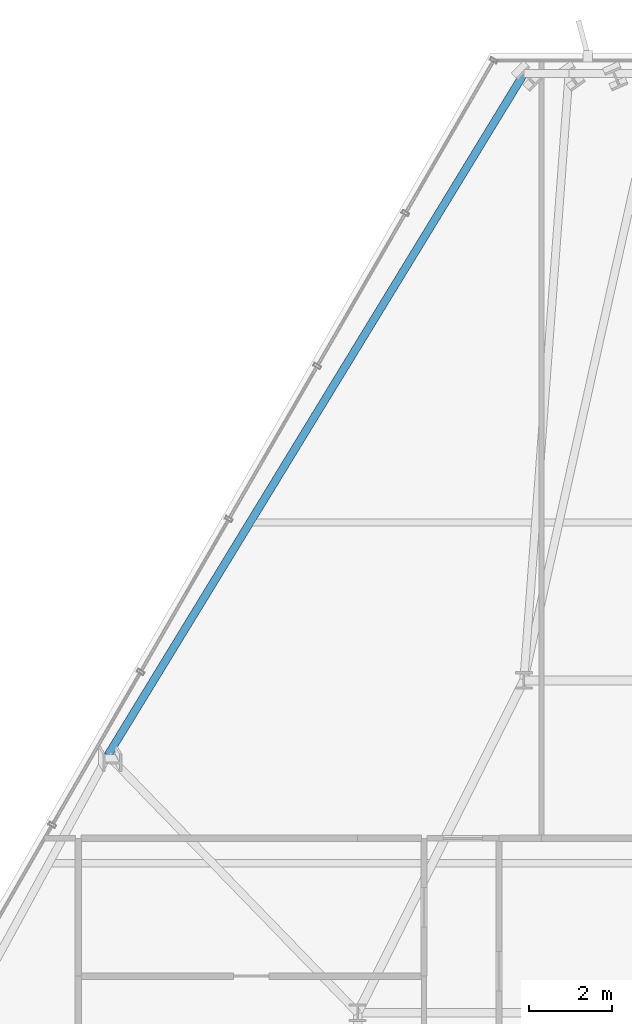
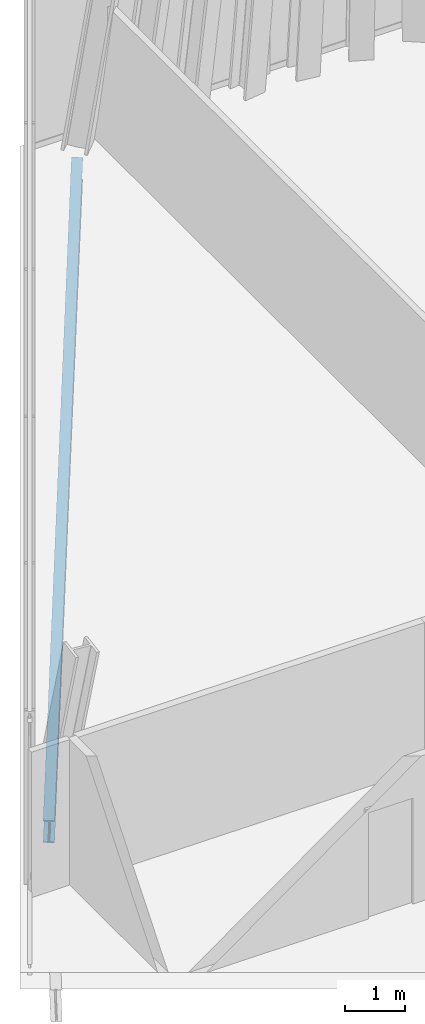
# One storey, part 20 of 34: 1 beam.
"""IFC4 building model written with IfcOpenShell, lengths in metres."""

import ifcopenshell
import ifcopenshell.guid

model = None  # the IFC model being written
_history = None  # IfcOwnerHistory: only IFC2X3 demands one
_inside = {}  # id of a spatial element -> (the spatial element, [elements in it])
_under = {}  # id of a project, library or spatial element -> (it, [spatial elements below it])
_declared = {}  # id of a project -> (the project, [libraries it declares])
_typed = {}  # id of a type object -> (the type object, [elements of that type])
_made_of = {}  # id of a material, layer set ... -> (it, [elements and type objects made of it])


def new_model(schema):
    """Start an empty IFC model of exactly this schema.

    Asked for "IFC4X3", IfcOpenShell would pick the latest addendum, in which some entities
    have other attributes; the version numbers below select the first issue.
    IFC2X3 requires an IfcOwnerHistory on every rooted entity: one is made here for all.
    """
    global model, _history
    if schema == "IFC4X3":
        model = ifcopenshell.file(schema_version=(4, 3, 0, 0))
    else:
        model = ifcopenshell.file(schema=schema)
    _inside.clear()
    _under.clear()
    _declared.clear()
    _typed.clear()
    _made_of.clear()
    _history = None
    if model.schema == "IFC2X3":
        org = make("IfcOrganization", Name="unknown")
        user = make(
            "IfcPersonAndOrganization",
            ThePerson=make("IfcPerson", FamilyName="unknown"),
            TheOrganization=org,
        )
        app = make(
            "IfcApplication",
            ApplicationDeveloper=org,
            Version="unknown",
            ApplicationFullName="unknown",
            ApplicationIdentifier="unknown",
        )
        _history = make(
            "IfcOwnerHistory",
            OwningUser=user,
            OwningApplication=app,
            ChangeAction="ADDED",
            CreationDate=0,
        )
    return model


def make(cls, **values):
    """One entity of the class cls with the attributes given. An attribute that is None is left unset."""
    return model.create_entity(
        cls, **{name: value for name, value in values.items() if value is not None}
    )


def rooted(cls, **values):
    """An entity with a GlobalId (a new one), such as an element, a storey or a relation."""
    return make(cls, GlobalId=ifcopenshell.guid.new(), OwnerHistory=_history, **values)


def si_unit(unit_type, name, prefix=None):
    """IfcSIUnit, for example si_unit("LENGTHUNIT", "METRE", prefix="MILLI")."""
    return make("IfcSIUnit", UnitType=unit_type, Prefix=prefix, Name=name)


def assignment(units):
    """IfcUnitAssignment: the units of a project."""
    return None if units is None else make("IfcUnitAssignment", Units=units)


def point(xyz):
    """IfcCartesianPoint."""
    return None if xyz is None else make("IfcCartesianPoint", Coordinates=xyz)


def direction(xyz):
    """IfcDirection."""
    return None if xyz is None else make("IfcDirection", DirectionRatios=xyz)


def frame(location, z_axis=None, x_axis=None):
    """IfcAxis2Placement3D, a coordinate frame: its origin and axes. An axis left out is left unset."""
    return make(
        "IfcAxis2Placement3D",
        Location=point(location),
        Axis=direction(z_axis),
        RefDirection=direction(x_axis),
    )


def frame_2d(location, x_axis=None):
    """IfcAxis2Placement2D, a coordinate frame in the plane: its origin and x axis."""
    return make(
        "IfcAxis2Placement2D", Location=point(location), RefDirection=direction(x_axis)
    )


def origin():
    """The frame at (0, 0, 0) with its axes left unset."""
    return frame((0.0, 0.0, 0.0))


def origin_2d():
    """The frame at (0, 0) in the plane with its x axis left unset."""
    return frame_2d((0.0, 0.0))


def place(relative_to, where):
    """IfcLocalPlacement: puts the frame where relative to a parent placement (None: the world)."""
    return make(
        "IfcLocalPlacement", PlacementRelTo=relative_to, RelativePlacement=where
    )


def context(
    kind, dimensions, precision=None, world=None, true_north=None, identifier=None
):
    """IfcGeometricRepresentationContext, for example the 3D "Model" context."""
    return make(
        "IfcGeometricRepresentationContext",
        ContextIdentifier=identifier,
        ContextType=kind,
        CoordinateSpaceDimension=dimensions,
        Precision=precision,
        WorldCoordinateSystem=world,
        TrueNorth=true_north,
    )


def subcontext(parent, identifier, kind, view, scale=None):
    """IfcGeometricRepresentationSubContext, for example "Body" below "Model"."""
    return make(
        "IfcGeometricRepresentationSubContext",
        ContextIdentifier=identifier,
        ContextType=kind,
        ParentContext=parent,
        TargetScale=scale,
        TargetView=view,
    )


def project(units=None, contexts=None):
    """IfcProject with its units and contexts."""
    return rooted(
        "IfcProject",
        Name="project",
        RepresentationContexts=contexts,
        UnitsInContext=assignment(units),
    )


def spatial(cls, under=None, at=None, **own):
    """A site, building, storey or space (cls), placed at a placement, below another one or the project."""
    s = rooted(cls, ObjectPlacement=at, **own)
    if under is not None:
        _under.setdefault(under.id(), (under, []))[1].append(s)
    return s


def profile(cls, at=None, kind="AREA", **sizes):
    """A parametric profile (cls). Its sizes go by their IFC names, for example OverallWidth=200.0."""
    return make(cls, ProfileType=kind, Position=at, **sizes)


def i_section(**sizes):
    """IfcIShapeProfileDef."""
    return profile("IfcIShapeProfileDef", **sizes)


def extrude(swept, where, along, depth):
    """IfcExtrudedAreaSolid: the profile swept, set in the frame where, extruded along a direction by depth."""
    return make(
        "IfcExtrudedAreaSolid",
        SweptArea=swept,
        Position=where,
        ExtrudedDirection=direction(along),
        Depth=depth,
    )


def shape(context_of_items, identifier, shape_type, items):
    """IfcShapeRepresentation: the items that make up one representation, for example the "Body"."""
    return make(
        "IfcShapeRepresentation",
        ContextOfItems=context_of_items,
        RepresentationIdentifier=identifier,
        RepresentationType=shape_type,
        Items=items,
    )


def material(Name=None, Category=None):
    """IfcMaterial."""
    return make("IfcMaterial", Name=Name, Category=Category)


def material_profile(
    of_material, cross_section, Name=None, Category=None, Priority=None
):
    """IfcMaterialProfile: a cross section and its material."""
    return make(
        "IfcMaterialProfile",
        Name=Name,
        Material=of_material,
        Profile=cross_section,
        Priority=Priority,
        Category=Category,
    )


def profile_set(profiles, Name=None, composite=None):
    """IfcMaterialProfileSet."""
    return make(
        "IfcMaterialProfileSet",
        Name=Name,
        MaterialProfiles=profiles,
        CompositeProfile=composite,
    )


def made_of(thing, what):
    """Note that an element or type object is made of a material, layer set ...; save() writes the relation."""
    if what is not None:
        _made_of.setdefault(what.id(), (what, []))[1].append(thing)
    return thing


def type_object(cls, material=None, **own):
    """A type object (cls), such as IfcWallType, which elements share."""
    return made_of(rooted(cls, **own), material)


def element(
    cls,
    number,
    at=None,
    inside=None,
    cuts=None,
    type_object=None,
    material=None,
    context=None,
    identifier="Body",
    shape_type=None,
    held_by="IfcProductDefinitionShape",
    body=None,
    shapes=None,
    **own,
):
    """One element of the class cls, such as IfcWall. Its Tag is "e" and its number.

    at: its placement. inside: the storey or other place that contains it. cuts: it is an
    opening in that element (IfcRelVoidsElement). A single representation is given by context,
    identifier, shape_type and body (its items); several are given by shapes. held_by: the class
    of the entity that holds the representations. save() writes the other relations.
    """
    e = rooted(cls, Tag="e%d" % number, ObjectPlacement=at, **own)
    if body is not None:
        shapes = [shape(context, identifier, shape_type, body)]
    if shapes is not None:
        e.Representation = make(held_by, Representations=shapes)
    if inside is not None:
        _inside.setdefault(inside.id(), (inside, []))[1].append(e)
    if cuts is not None:
        rooted(
            "IfcRelVoidsElement", RelatingBuildingElement=cuts, RelatedOpeningElement=e
        )
    if type_object is not None:
        _typed.setdefault(type_object.id(), (type_object, []))[1].append(e)
    return made_of(e, material)


def aggregate(whole, parts):
    """IfcRelAggregates: a whole, such as a stair, and the parts it consists of."""
    return rooted("IfcRelAggregates", RelatingObject=whole, RelatedObjects=parts)


def save(model, path):
    """Write the relations noted so far, then the file.

    IfcRelAggregates (storeys below a building ...), IfcRelContainedInSpatialStructure (elements
    in a storey), IfcRelDefinesByType, IfcRelAssociatesMaterial and IfcRelDeclares: one each for
    every whole, place, type object, material and project.
    """
    for whole, parts in _under.values():
        aggregate(whole, parts)
    for where, things in _inside.values():
        rooted(
            "IfcRelContainedInSpatialStructure",
            RelatedElements=things,
            RelatingStructure=where,
        )
    for kind, things in _typed.values():
        rooted("IfcRelDefinesByType", RelatedObjects=things, RelatingType=kind)
    for what, things in _made_of.values():
        rooted("IfcRelAssociatesMaterial", RelatedObjects=things, RelatingMaterial=what)
    for by, libraries in _declared.values():
        rooted("IfcRelDeclares", RelatingContext=by, RelatedDefinitions=libraries)
    model.write(path)


model = new_model("IFC4")

# Units and contexts
model_context = context("Model", 3, precision=1e-05, world=origin(), true_north=direction((0.0, 1.0)))
body_context = subcontext(model_context, "Body", "Model", "MODEL_VIEW")
ifc_project = project(units=[si_unit("LENGTHUNIT", "METRE"), si_unit("AREAUNIT", "SQUARE_METRE"), si_unit("VOLUMEUNIT", "CUBIC_METRE"), si_unit("PLANEANGLEUNIT", "RADIAN"), si_unit("MASSUNIT", "GRAM", prefix="KILO")], contexts=[model_context])

# Site, building, storey
site_placement = place(None, origin())
site = spatial("IfcSite", under=ifc_project, at=site_placement, CompositionType="ELEMENT")
building_placement = place(site_placement, origin())
building = spatial("IfcBuilding", under=site, at=building_placement, Name="Ndaravel Arena Tower", CompositionType="ELEMENT")
storey_placement = place(building_placement, frame((0.0, 0.0, 199.199951171875)))
storey = spatial("IfcBuildingStorey", under=building, at=storey_placement, Name="L48", CompositionType="ELEMENT", Elevation=199.199951171875)

# Beam
ifc_material = material(Name="Steel S355", Category="steel")
ifc_material_profile = material_profile(ifc_material, i_section(OverallWidth=0.18994140625, OverallDepth=0.449951171875, WebThickness=0.009521484375, FlangeThickness=0.0146484375, FilletRadius=0.02099609375, at=origin_2d()), Name="IPE 450")
ifc_profile_set = profile_set([ifc_material_profile], Name="Steel S355")
beam_type = type_object("IfcBeamType", Name="BM-SPAN-IPE450", PredefinedType="SPANDREL", material=ifc_profile_set)
beam_placement = place(storey_placement, frame((38.2041015625, 45.805908203125, -0.445068359375), z_axis=(-0.521020418389, -0.853544213045, 0.0), x_axis=(0.853544213045, -0.521020418389, 0.0)))
element("IfcBeam", 1, at=beam_placement, inside=storey, type_object=beam_type, Name="L48 Perimeter Spandrel Beam SP-18", PredefinedType="SPANDREL", context=body_context, shape_type="SweptSolid", body=[
    extrude(i_section(OverallWidth=0.18994140625, OverallDepth=0.449951171875, WebThickness=0.009521484375, FlangeThickness=0.0146484375, FilletRadius=0.02099609375, at=origin_2d()), origin(), (0.0, 0.0, 1.0), 19.220703125),
])

save(model, "model.ifc")
